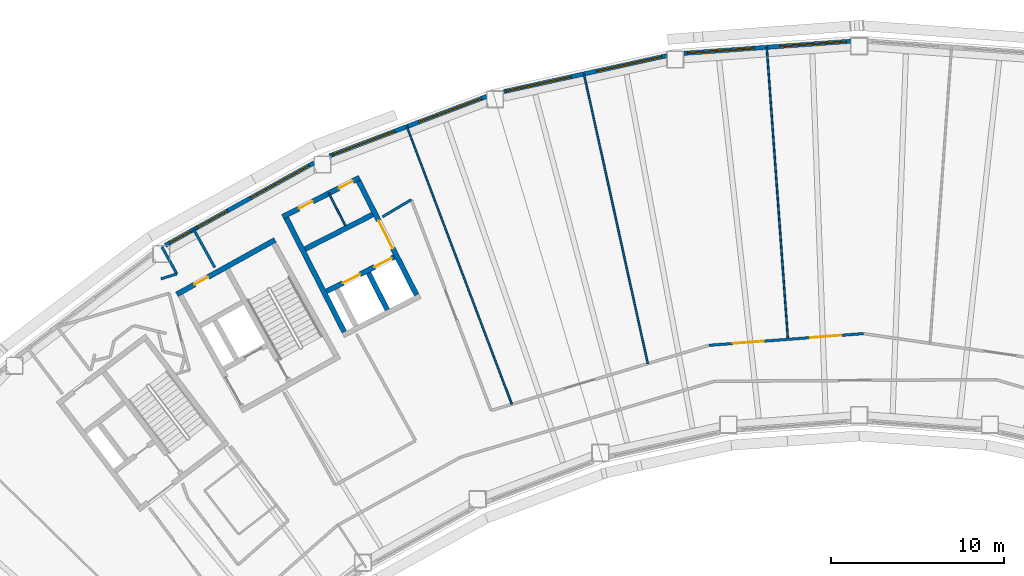
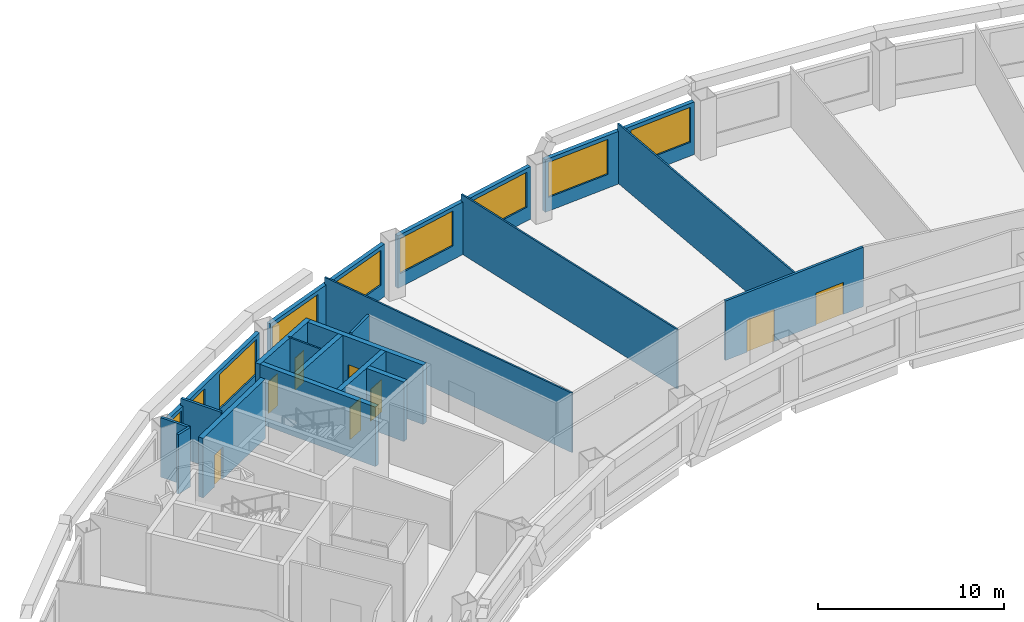
# One storey, part 5 of 11: 20 walls, 9 windows, 8 doors, 17 openings.
"""IFC4 building model written with IfcOpenShell, lengths in metres."""

from ifc_helpers import new_model, si_unit, direction, frame, frame_2d, origin, place, context, subcontext, project, spatial, rectangle, extrude, material, layer, layer_set, type_object, element, fill, save


model = new_model("IFC4")

# Units and contexts
model_context = context("Model", 3, precision=1e-05, world=origin(), true_north=direction((0.0, 1.0)))
body_context = subcontext(model_context, "Body", "Model", "MODEL_VIEW")
ifc_project = project(units=[si_unit("LENGTHUNIT", "METRE"), si_unit("AREAUNIT", "SQUARE_METRE"), si_unit("VOLUMEUNIT", "CUBIC_METRE"), si_unit("PLANEANGLEUNIT", "RADIAN"), si_unit("MASSUNIT", "GRAM", prefix="KILO")], contexts=[model_context])

# Site, building, storey
site_placement = place(None, origin())
site = spatial("IfcSite", under=ifc_project, at=site_placement, CompositionType="ELEMENT")
building_placement = place(site_placement, origin())
building = spatial("IfcBuilding", under=site, at=building_placement, Name="Tuul Gate Civic Tower", CompositionType="ELEMENT")
storey_placement = place(building_placement, frame((0.0, 0.0, 159.199951171875)))
storey = spatial("IfcBuildingStorey", under=building, at=storey_placement, Name="Level 36", CompositionType="ELEMENT", Elevation=159.199951171875)

# Wall, opening, door
ifc_material_1 = material(Name="Concrete C50/60", Category="concrete")
ifc_layer_1 = layer(ifc_material_1, 0.300048828125)
ifc_layer_set_1 = layer_set([ifc_layer_1], Name="Concrete C50/60")
wall_type_1 = type_object("IfcWallType", Name="Core wall C50/60", PredefinedType="SHEAR", material=ifc_layer_set_1)
wall_1_placement = place(storey_placement, frame((-28.4443359375, -1.98095703125, 0.0), z_axis=(0.0, 0.0, 1.0), x_axis=(-0.874629909008, -0.484791215132, 0.0)))
wall_1 = element("IfcWall", 1, at=wall_1_placement, inside=storey, type_object=wall_type_1, Name="Core wall", PredefinedType="SHEAR", context=body_context, shape_type="SweptSolid", body=[
    extrude(rectangle(XDim=6.5, YDim=0.300048828125, at=frame_2d((3.25, 0.0))), origin(), (0.0, 0.0, 1.0), 3.900146484375),
])
opening_1_placement = place(wall_1_placement, frame((4.425048828125, 0.0, 0.0)))
opening_1 = element("IfcOpeningElement", 2, at=opening_1_placement, cuts=wall_1, Name="Opening M-D19", PredefinedType="OPENING", context=body_context, shape_type="SweptSolid", body=[
    extrude(rectangle(XDim=0.89990234375, YDim=2.10009765625, at=frame_2d((0.449951171875, 1.050048828125))), frame((0.0, 0.16015625, 0.0), z_axis=(0.0, -1.0, 0.0), x_axis=(1.0, 0.0, 0.0)), (0.0, 0.0, 1.0), 0.320068359375),
])
ifc_material_2 = material(Name="Timber door leaf", Category="wood")
door_type_1 = type_object("IfcDoorType", Name="Door D09", OperationType="NOTDEFINED", PredefinedType="DOOR", material=ifc_material_2)
door_1_placement = place(opening_1_placement, origin())
door_1 = element("IfcDoor", 3, at=door_1_placement, inside=storey, type_object=door_type_1, Name="Door M-D19", OperationType="SINGLE_SWING_LEFT", OverallHeight=2.10009765625, OverallWidth=0.89990234375, PredefinedType="DOOR", context=body_context, shape_type="SweptSolid", body=[
    extrude(rectangle(XDim=0.89990234375, YDim=2.10009765625, at=frame_2d((0.449951171875, 1.050048828125))), frame((0.0, 0.02490234375, 0.0), z_axis=(0.0, -1.0, 0.0), x_axis=(1.0, 0.0, 0.0)), (0.0, 0.0, 1.0), 0.050048828125),
])
fill(opening_1, door_1)

# Wall, openings, doors
ifc_material_3 = material(Name="Gypsum board partition")
ifc_layer_2 = layer(ifc_material_3, 0.14990234375)
ifc_layer_set_2 = layer_set([ifc_layer_2], Name="Gypsum board partition")
wall_type_2 = type_object("IfcWallType", Name="Corridor wall P150", PredefinedType="PARTITIONING", material=ifc_layer_set_2)
wall_2_placement = place(storey_placement, frame((-3.32275390625, -8.082275390625, 0.0), z_axis=(0.0, 0.0, 1.0), x_axis=(0.997138148299, 0.075601013265, 0.0)))
wall_2 = element("IfcWall", 4, at=wall_2_placement, inside=storey, type_object=wall_type_2, Name="p021", PredefinedType="PARTITIONING", context=body_context, shape_type="SweptSolid", body=[
    extrude(rectangle(XDim=8.964599609375, YDim=0.14990234375, at=frame_2d((4.482421875, 0.0))), origin(), (0.0, 0.0, 1.0), 3.900146484375),
])
opening_2_placement = place(wall_2_placement, frame((5.875244140625, 0.0, 0.0)))
opening_2 = element("IfcOpeningElement", 5, at=opening_2_placement, cuts=wall_2, Name="Opening M-D06", PredefinedType="OPENING", context=body_context, shape_type="SweptSolid", body=[
    extrude(rectangle(XDim=1.800048828125, YDim=2.10009765625, at=frame_2d((0.89990234375, 1.050048828125))), frame((0.0, 0.0849609375, 0.0), z_axis=(0.0, -1.0, 0.0), x_axis=(1.0, 0.0, 0.0)), (0.0, 0.0, 1.0), 0.169921875),
])
opening_3_placement = place(wall_2_placement, frame((1.39306640625, 0.0, 0.0)))
opening_3 = element("IfcOpeningElement", 6, at=opening_3_placement, cuts=wall_2, Name="Opening M-D07", PredefinedType="OPENING", context=body_context, shape_type="SweptSolid", body=[
    extrude(rectangle(XDim=1.800048828125, YDim=2.10009765625, at=frame_2d((0.89990234375, 1.050048828125))), frame((0.0, 0.0849609375, 0.0), z_axis=(0.0, -1.0, 0.0), x_axis=(1.0, 0.0, 0.0)), (0.0, 0.0, 1.0), 0.169921875),
])
ifc_material_4 = material(Name="Timber door leaf, double", Category="wood")
door_type_2 = type_object("IfcDoorType", Name="Door D18", OperationType="DOUBLE_DOOR_SINGLE_SWING", PredefinedType="DOOR", material=ifc_material_4)
door_2_placement = place(opening_2_placement, origin())
door_2 = element("IfcDoor", 7, at=door_2_placement, inside=storey, type_object=door_type_2, Name="Door M-D06", OperationType="DOUBLE_DOOR_SINGLE_SWING", OverallHeight=2.10009765625, OverallWidth=1.800048828125, PredefinedType="DOOR", context=body_context, shape_type="SweptSolid", body=[
    extrude(rectangle(XDim=1.800048828125, YDim=2.10009765625, at=frame_2d((0.89990234375, 1.050048828125))), frame((0.0, 0.02490234375, 0.0), z_axis=(0.0, -1.0, 0.0), x_axis=(1.0, 0.0, 0.0)), (0.0, 0.0, 1.0), 0.050048828125),
])
fill(opening_2, door_2)
door_3_placement = place(opening_3_placement, origin())
door_3 = element("IfcDoor", 8, at=door_3_placement, inside=storey, type_object=door_type_2, Name="Door M-D07", OperationType="DOUBLE_DOOR_SINGLE_SWING", OverallHeight=2.10009765625, OverallWidth=1.800048828125, PredefinedType="DOOR", context=body_context, shape_type="SweptSolid", body=[
    extrude(rectangle(XDim=1.800048828125, YDim=2.10009765625, at=frame_2d((0.89990234375, 1.050048828125))), frame((0.0, 0.02490234375, 0.0), z_axis=(0.0, -1.0, 0.0), x_axis=(1.0, 0.0, 0.0)), (0.0, 0.0, 1.0), 0.050048828125),
])
fill(opening_3, door_3)

# Walls
wall_3_placement = place(storey_placement, frame((-22.220703125, -0.64013671875, 0.0), z_axis=(0.0, 0.0, 1.0), x_axis=(0.859125150735, 0.511765547273, 0.0)))
element("IfcWall", 9, at=wall_3_placement, inside=storey, type_object=wall_type_2, Name="p026", PredefinedType="PARTITIONING", context=body_context, shape_type="SweptSolid", body=[
    extrude(rectangle(XDim=1.93505859375, YDim=0.14990234375, at=frame_2d((0.967529296875, 0.0))), origin(), (0.0, 0.0, 1.0), 3.900146484375),
])
wall_4_placement = place(storey_placement, frame((-33.152099609375, -1.37353515625, 0.0), z_axis=(0.0, 0.0, 1.0), x_axis=(0.484157899205, -0.874980644722, 0.0)))
element("IfcWall", 10, at=wall_4_placement, inside=storey, type_object=wall_type_2, Name="p029", PredefinedType="PARTITIONING", context=body_context, shape_type="SweptSolid", body=[
    extrude(rectangle(XDim=2.513671875, YDim=0.14990234375, at=frame_2d((1.2568359375, 0.0))), origin(), (0.0, 0.0, 1.0), 3.900146484375),
])
wall_5_placement = place(storey_placement, frame((-35.049560546875, -4.23291015625, 0.0), z_axis=(0.0, 0.0, 1.0), x_axis=(0.955246740778, 0.295810182773, 0.0)))
element("IfcWall", 11, at=wall_5_placement, inside=storey, type_object=wall_type_2, Name="p064", PredefinedType="PARTITIONING", context=body_context, shape_type="SweptSolid", body=[
    extrude(rectangle(XDim=0.96484375, YDim=0.14990234375, at=frame_2d((0.482421875, 0.0))), origin(), (0.0, 0.0, 1.0), 3.900146484375),
])
wall_6_placement = place(storey_placement, frame((-34.98876953125, -2.3916015625, 0.0), z_axis=(0.0, 0.0, 1.0), x_axis=(0.484115066366, -0.875004344285, 0.0)))
element("IfcWall", 12, at=wall_6_placement, inside=storey, type_object=wall_type_2, Name="p065", PredefinedType="PARTITIONING", context=body_context, shape_type="SweptSolid", body=[
    extrude(rectangle(XDim=1.778076171875, YDim=0.14990234375, at=frame_2d((0.88916015625, 0.0))), origin(), (0.0, 0.0, 1.0), 3.900146484375),
])

# Wall, openings, windows
ifc_material_5 = material(Name="Precast concrete C40/50", Category="concrete")
ifc_layer_3 = layer(ifc_material_5, 0.25)
ifc_layer_set_3 = layer_set([ifc_layer_3], Name="Precast concrete C40/50")
wall_type_3 = type_object("IfcWallType", Name="External wall", PredefinedType="STANDARD", material=ifc_layer_set_3)
wall_7_placement = place(storey_placement, frame((4.8740234375, 9.521484375, 0.0), z_axis=(0.0, 0.0, 1.0), x_axis=(-0.997386456692, -0.07225133914, 0.0)))
wall_7 = element("IfcWall", 13, at=wall_7_placement, inside=storey, type_object=wall_type_3, Name="External wall", PredefinedType="STANDARD", context=body_context, shape_type="SweptSolid", body=[
    extrude(rectangle(XDim=9.67431640625, YDim=0.25, at=frame_2d((4.837158203125, 0.0))), origin(), (0.0, 0.0, 1.0), 3.449951171875),
])
opening_4_placement = place(wall_7_placement, frame((0.250244140625, 0.0, 0.89990234375)))
opening_4 = element("IfcOpeningElement", 14, at=opening_4_placement, cuts=wall_7, Name="Opening W22", PredefinedType="OPENING", context=body_context, shape_type="SweptSolid", body=[
    extrude(rectangle(XDim=3.85009765625, YDim=2.300048828125, at=frame_2d((1.925048828125, 1.14990234375))), frame((0.0, 0.135009765625, 0.0), z_axis=(0.0, -1.0, 0.0), x_axis=(1.0, 0.0, 0.0)), (0.0, 0.0, 1.0), 0.27001953125),
])
opening_5_placement = place(wall_7_placement, frame((5.62109375, 0.0, 0.89990234375)))
opening_5 = element("IfcOpeningElement", 15, at=opening_5_placement, cuts=wall_7, Name="Opening W22", PredefinedType="OPENING", context=body_context, shape_type="SweptSolid", body=[
    extrude(rectangle(XDim=3.85009765625, YDim=2.300048828125, at=frame_2d((1.925048828125, 1.14990234375))), frame((0.0, 0.135009765625, 0.0), z_axis=(0.0, -1.0, 0.0), x_axis=(1.0, 0.0, 0.0)), (0.0, 0.0, 1.0), 0.27001953125),
])
ifc_material_6 = material(Name="Glass", Category="glass")
window_type_1 = type_object("IfcWindowType", Name="Window W22 3850 x 2300", PartitioningType="SINGLE_PANEL", PredefinedType="WINDOW", material=ifc_material_6)
window_1_placement = place(opening_4_placement, origin())
window_1 = element("IfcWindow", 16, at=window_1_placement, inside=storey, type_object=window_type_1, Name="Window", OverallHeight=2.300048828125, OverallWidth=3.85009765625, PartitioningType="SINGLE_PANEL", PredefinedType="WINDOW", context=body_context, shape_type="SweptSolid", body=[
    extrude(rectangle(XDim=3.85009765625, YDim=2.300048828125, at=frame_2d((1.925048828125, 1.14990234375))), frame((0.0, 0.030029296875, 0.0), z_axis=(0.0, -1.0, 0.0), x_axis=(1.0, 0.0, 0.0)), (0.0, 0.0, 1.0), 0.06005859375),
])
fill(opening_4, window_1)
window_2_placement = place(opening_5_placement, origin())
window_2 = element("IfcWindow", 17, at=window_2_placement, inside=storey, type_object=window_type_1, Name="Window", OverallHeight=2.300048828125, OverallWidth=3.85009765625, PartitioningType="SINGLE_PANEL", PredefinedType="WINDOW", context=body_context, shape_type="SweptSolid", body=[
    extrude(rectangle(XDim=3.85009765625, YDim=2.300048828125, at=frame_2d((1.925048828125, 1.14990234375))), frame((0.0, 0.030029296875, 0.0), z_axis=(0.0, -1.0, 0.0), x_axis=(1.0, 0.0, 0.0)), (0.0, 0.0, 1.0), 0.06005859375),
])
fill(opening_5, window_2)

wall_8_placement = place(storey_placement, frame((-5.77490234375, 8.68310546875, 0.0), z_axis=(0.0, 0.0, 1.0), x_axis=(-0.976568733391, -0.215205736364, 0.0)))
wall_8 = element("IfcWall", 18, at=wall_8_placement, inside=storey, type_object=wall_type_3, Name="External wall", PredefinedType="STANDARD", context=body_context, shape_type="SweptSolid", body=[
    extrude(rectangle(XDim=9.654296875, YDim=0.25, at=frame_2d((4.8271484375, 0.0))), origin(), (0.0, 0.0, 1.0), 3.449951171875),
])
opening_6_placement = place(wall_8_placement, frame((0.28759765625, 0.0, 0.89990234375)))
opening_6 = element("IfcOpeningElement", 19, at=opening_6_placement, cuts=wall_8, Name="Opening W22", PredefinedType="OPENING", context=body_context, shape_type="SweptSolid", body=[
    extrude(rectangle(XDim=3.85009765625, YDim=2.300048828125, at=frame_2d((1.925048828125, 1.14990234375))), frame((0.0, 0.135009765625, 0.0), z_axis=(0.0, -1.0, 0.0), x_axis=(1.0, 0.0, 0.0)), (0.0, 0.0, 1.0), 0.27001953125),
])
opening_7_placement = place(wall_8_placement, frame((5.6591796875, 0.0, 0.89990234375)))
opening_7 = element("IfcOpeningElement", 20, at=opening_7_placement, cuts=wall_8, Name="Opening W22", PredefinedType="OPENING", context=body_context, shape_type="SweptSolid", body=[
    extrude(rectangle(XDim=3.85009765625, YDim=2.300048828125, at=frame_2d((1.925048828125, 1.14990234375))), frame((0.0, 0.135009765625, 0.0), z_axis=(0.0, -1.0, 0.0), x_axis=(1.0, 0.0, 0.0)), (0.0, 0.0, 1.0), 0.27001953125),
])
window_3_placement = place(opening_6_placement, origin())
window_3 = element("IfcWindow", 21, at=window_3_placement, inside=storey, type_object=window_type_1, Name="Window", OverallHeight=2.300048828125, OverallWidth=3.85009765625, PartitioningType="SINGLE_PANEL", PredefinedType="WINDOW", context=body_context, shape_type="SweptSolid", body=[
    extrude(rectangle(XDim=3.85009765625, YDim=2.300048828125, at=frame_2d((1.925048828125, 1.14990234375))), frame((0.0, 0.030029296875, 0.0), z_axis=(0.0, -1.0, 0.0), x_axis=(1.0, 0.0, 0.0)), (0.0, 0.0, 1.0), 0.06005859375),
])
fill(opening_6, window_3)
window_4_placement = place(opening_7_placement, origin())
window_4 = element("IfcWindow", 22, at=window_4_placement, inside=storey, type_object=window_type_1, Name="Window", OverallHeight=2.300048828125, OverallWidth=3.85009765625, PartitioningType="SINGLE_PANEL", PredefinedType="WINDOW", context=body_context, shape_type="SweptSolid", body=[
    extrude(rectangle(XDim=3.85009765625, YDim=2.300048828125, at=frame_2d((1.925048828125, 1.14990234375))), frame((0.0, 0.030029296875, 0.0), z_axis=(0.0, -1.0, 0.0), x_axis=(1.0, 0.0, 0.0)), (0.0, 0.0, 1.0), 0.06005859375),
])
fill(opening_7, window_4)

wall_9_placement = place(storey_placement, frame((-16.202880859375, 6.320556640625, 0.0), z_axis=(0.0, 0.0, 1.0), x_axis=(-0.935351451724, -0.353719750307, 0.0)))
wall_9 = element("IfcWall", 23, at=wall_9_placement, inside=storey, type_object=wall_type_3, Name="External wall", PredefinedType="STANDARD", context=body_context, shape_type="SweptSolid", body=[
    extrude(rectangle(XDim=9.712646484375, YDim=0.25, at=frame_2d((4.8564453125, 0.0))), origin(), (0.0, 0.0, 1.0), 3.449951171875),
])
opening_8_placement = place(wall_9_placement, frame((0.315673828125, 0.0, 0.89990234375)))
opening_8 = element("IfcOpeningElement", 24, at=opening_8_placement, cuts=wall_9, Name="Opening W22", PredefinedType="OPENING", context=body_context, shape_type="SweptSolid", body=[
    extrude(rectangle(XDim=3.85009765625, YDim=2.300048828125, at=frame_2d((1.925048828125, 1.14990234375))), frame((0.0, 0.135009765625, 0.0), z_axis=(0.0, -1.0, 0.0), x_axis=(1.0, 0.0, 0.0)), (0.0, 0.0, 1.0), 0.27001953125),
])
opening_9_placement = place(wall_9_placement, frame((5.68701171875, 0.0, 0.89990234375)))
opening_9 = element("IfcOpeningElement", 25, at=opening_9_placement, cuts=wall_9, Name="Opening W22", PredefinedType="OPENING", context=body_context, shape_type="SweptSolid", body=[
    extrude(rectangle(XDim=3.85009765625, YDim=2.300048828125, at=frame_2d((1.925048828125, 1.14990234375))), frame((0.0, 0.135009765625, 0.0), z_axis=(0.0, -1.0, 0.0), x_axis=(1.0, 0.0, 0.0)), (0.0, 0.0, 1.0), 0.27001953125),
])
window_5_placement = place(opening_8_placement, origin())
window_5 = element("IfcWindow", 26, at=window_5_placement, inside=storey, type_object=window_type_1, Name="Window", OverallHeight=2.300048828125, OverallWidth=3.85009765625, PartitioningType="SINGLE_PANEL", PredefinedType="WINDOW", context=body_context, shape_type="SweptSolid", body=[
    extrude(rectangle(XDim=3.85009765625, YDim=2.300048828125, at=frame_2d((1.925048828125, 1.14990234375))), frame((0.0, 0.030029296875, 0.0), z_axis=(0.0, -1.0, 0.0), x_axis=(1.0, 0.0, 0.0)), (0.0, 0.0, 1.0), 0.06005859375),
])
fill(opening_8, window_5)
window_6_placement = place(opening_9_placement, origin())
window_6 = element("IfcWindow", 27, at=window_6_placement, inside=storey, type_object=window_type_1, Name="Window", OverallHeight=2.300048828125, OverallWidth=3.85009765625, PartitioningType="SINGLE_PANEL", PredefinedType="WINDOW", context=body_context, shape_type="SweptSolid", body=[
    extrude(rectangle(XDim=3.85009765625, YDim=2.300048828125, at=frame_2d((1.925048828125, 1.14990234375))), frame((0.0, 0.030029296875, 0.0), z_axis=(0.0, -1.0, 0.0), x_axis=(1.0, 0.0, 0.0)), (0.0, 0.0, 1.0), 0.06005859375),
])
fill(opening_9, window_6)

wall_10_placement = place(storey_placement, frame((-26.18994140625, 2.479736328125, 0.0), z_axis=(0.0, 0.0, 1.0), x_axis=(-0.874631968484, -0.484787499536, 0.0)))
wall_10 = element("IfcWall", 28, at=wall_10_placement, inside=storey, type_object=wall_type_3, Name="External wall", PredefinedType="STANDARD", context=body_context, shape_type="SweptSolid", body=[
    extrude(rectangle(XDim=9.8408203125, YDim=0.25, at=frame_2d((4.92041015625, 0.0))), origin(), (0.0, 0.0, 1.0), 3.449951171875),
])
opening_10_placement = place(wall_10_placement, frame((0.3359375, 0.0, 0.89990234375)))
opening_10 = element("IfcOpeningElement", 29, at=opening_10_placement, cuts=wall_10, Name="Opening W22", PredefinedType="OPENING", context=body_context, shape_type="SweptSolid", body=[
    extrude(rectangle(XDim=3.85009765625, YDim=2.300048828125, at=frame_2d((1.925048828125, 1.14990234375))), frame((0.0, 0.135009765625, 0.0), z_axis=(0.0, -1.0, 0.0), x_axis=(1.0, 0.0, 0.0)), (0.0, 0.0, 1.0), 0.27001953125),
])
opening_11_placement = place(wall_10_placement, frame((5.732177734375, 0.0, 0.89990234375)))
opening_11 = element("IfcOpeningElement", 30, at=opening_11_placement, cuts=wall_10, Name="Opening W49", PredefinedType="OPENING", context=body_context, shape_type="SweptSolid", body=[
    extrude(rectangle(XDim=2.0, YDim=2.300048828125, at=frame_2d((1.0, 1.14990234375))), frame((0.0, 0.135009765625, 0.0), z_axis=(0.0, -1.0, 0.0), x_axis=(1.0, 0.0, 0.0)), (0.0, 0.0, 1.0), 0.27001953125),
])
opening_12_placement = place(wall_10_placement, frame((8.1572265625, 0.0, 0.89990234375)))
opening_12 = element("IfcOpeningElement", 31, at=opening_12_placement, cuts=wall_10, Name="Opening W50", PredefinedType="OPENING", context=body_context, shape_type="SweptSolid", body=[
    extrude(rectangle(XDim=1.39990234375, YDim=2.300048828125, at=frame_2d((0.699951171875, 1.14990234375))), frame((0.0, 0.135009765625, 0.0), z_axis=(0.0, -1.0, 0.0), x_axis=(1.0, 0.0, 0.0)), (0.0, 0.0, 1.0), 0.27001953125),
])
ifc_material_7 = material(Name="Glass", Category="glass")
window_type_2 = type_object("IfcWindowType", Name="Window 1400 x 2300", PartitioningType="SINGLE_PANEL", PredefinedType="WINDOW", material=ifc_material_7)
window_7_placement = place(opening_12_placement, origin())
window_7 = element("IfcWindow", 32, at=window_7_placement, inside=storey, type_object=window_type_2, Name="Window", OverallHeight=2.300048828125, OverallWidth=1.39990234375, PartitioningType="SINGLE_PANEL", PredefinedType="WINDOW", context=body_context, shape_type="SweptSolid", body=[
    extrude(rectangle(XDim=1.39990234375, YDim=2.300048828125, at=frame_2d((0.699951171875, 1.14990234375))), frame((0.0, 0.030029296875, 0.0), z_axis=(0.0, -1.0, 0.0), x_axis=(1.0, 0.0, 0.0)), (0.0, 0.0, 1.0), 0.06005859375),
])
fill(opening_12, window_7)
ifc_material_8 = material(Name="Glass", Category="glass")
window_type_3 = type_object("IfcWindowType", Name="Window 2000 x 2300", PartitioningType="SINGLE_PANEL", PredefinedType="WINDOW", material=ifc_material_8)
window_8_placement = place(opening_11_placement, origin())
window_8 = element("IfcWindow", 33, at=window_8_placement, inside=storey, type_object=window_type_3, Name="Window", OverallHeight=2.300048828125, OverallWidth=2.0, PartitioningType="SINGLE_PANEL", PredefinedType="WINDOW", context=body_context, shape_type="SweptSolid", body=[
    extrude(rectangle(XDim=2.0, YDim=2.300048828125, at=frame_2d((1.0, 1.14990234375))), frame((0.0, 0.030029296875, 0.0), z_axis=(0.0, -1.0, 0.0), x_axis=(1.0, 0.0, 0.0)), (0.0, 0.0, 1.0), 0.06005859375),
])
fill(opening_11, window_8)
window_9_placement = place(opening_10_placement, origin())
window_9 = element("IfcWindow", 34, at=window_9_placement, inside=storey, type_object=window_type_1, Name="Window", OverallHeight=2.300048828125, OverallWidth=3.85009765625, PartitioningType="SINGLE_PANEL", PredefinedType="WINDOW", context=body_context, shape_type="SweptSolid", body=[
    extrude(rectangle(XDim=3.85009765625, YDim=2.300048828125, at=frame_2d((1.925048828125, 1.14990234375))), frame((0.0, 0.030029296875, 0.0), z_axis=(0.0, -1.0, 0.0), x_axis=(1.0, 0.0, 0.0)), (0.0, 0.0, 1.0), 0.06005859375),
])
fill(opening_10, window_9)

# Wall, openings, doors
ifc_material_9 = material(Name="Concrete C40/50", Category="concrete")
ifc_layer_4 = layer(ifc_material_9, 0.300048828125)
ifc_layer_set_4 = layer_set([ifc_layer_4], Name="Concrete C40/50")
wall_type_4 = type_object("IfcWallType", Name="Lift shaft wall C40/50", PredefinedType="STANDARD", material=ifc_layer_set_4)
wall_11_placement = place(storey_placement, frame((-21.542236328125, -2.962890625, 0.0), z_axis=(0.0, 0.0, 1.0), x_axis=(-0.891005618941, -0.453992276384, 0.0)))
wall_11 = element("IfcWall", 35, at=wall_11_placement, inside=storey, type_object=wall_type_4, Name="Shaft wall", PredefinedType="STANDARD", context=body_context, shape_type="SweptSolid", body=[
    extrude(rectangle(XDim=4.39990234375, YDim=0.300048828125, at=frame_2d((2.199951171875, 0.0))), origin(), (0.0, 0.0, 1.0), 3.900146484375),
])
opening_13_placement = place(wall_11_placement, frame((0.175048828125, 0.0, 0.0)))
opening_13 = element("IfcOpeningElement", 36, at=opening_13_placement, cuts=wall_11, Name="Opening LD-M1", PredefinedType="OPENING", context=body_context, shape_type="SweptSolid", body=[
    extrude(rectangle(XDim=1.10009765625, YDim=2.10009765625, at=frame_2d((0.550048828125, 1.050048828125))), frame((0.0, 0.16015625, 0.0), z_axis=(0.0, -1.0, 0.0), x_axis=(1.0, 0.0, 0.0)), (0.0, 0.0, 1.0), 0.320068359375),
])
opening_14_placement = place(wall_11_placement, frame((2.22509765625, 0.0, 0.0)))
opening_14 = element("IfcOpeningElement", 37, at=opening_14_placement, cuts=wall_11, Name="Opening LD-M2", PredefinedType="OPENING", context=body_context, shape_type="SweptSolid", body=[
    extrude(rectangle(XDim=1.10009765625, YDim=2.10009765625, at=frame_2d((0.550048828125, 1.050048828125))), frame((0.0, 0.16015625, 0.0), z_axis=(0.0, -1.0, 0.0), x_axis=(1.0, 0.0, 0.0)), (0.0, 0.0, 1.0), 0.320068359375),
])
ifc_material_10 = material(Name="Stainless steel", Category="steel")
door_type_3 = type_object("IfcDoorType", Name="Landing door", OperationType="DOUBLE_DOOR_SLIDING", PredefinedType="DOOR", material=ifc_material_10)
door_4_placement = place(opening_13_placement, origin())
door_4 = element("IfcDoor", 38, at=door_4_placement, inside=storey, type_object=door_type_3, Name="Mid-rise lift M1 landing door", OperationType="DOUBLE_DOOR_SLIDING", OverallHeight=2.10009765625, OverallWidth=1.10009765625, PredefinedType="DOOR", context=body_context, shape_type="SweptSolid", body=[
    extrude(rectangle(XDim=1.10009765625, YDim=2.10009765625, at=frame_2d((0.550048828125, 1.050048828125))), frame((0.0, 0.02490234375, 0.0), z_axis=(0.0, -1.0, 0.0), x_axis=(1.0, 0.0, 0.0)), (0.0, 0.0, 1.0), 0.050048828125),
])
fill(opening_13, door_4)
door_5_placement = place(opening_14_placement, origin())
door_5 = element("IfcDoor", 39, at=door_5_placement, inside=storey, type_object=door_type_3, Name="Mid-rise lift M2 landing door", OperationType="DOUBLE_DOOR_SLIDING", OverallHeight=2.10009765625, OverallWidth=1.10009765625, PredefinedType="DOOR", context=body_context, shape_type="SweptSolid", body=[
    extrude(rectangle(XDim=1.10009765625, YDim=2.10009765625, at=frame_2d((0.550048828125, 1.050048828125))), frame((0.0, 0.02490234375, 0.0), z_axis=(0.0, -1.0, 0.0), x_axis=(1.0, 0.0, 0.0)), (0.0, 0.0, 1.0), 0.050048828125),
])
fill(opening_14, door_5)

# Wall
wall_12_placement = place(storey_placement, frame((-22.790771484375, -0.5126953125, 0.0), z_axis=(0.0, 0.0, 1.0), x_axis=(-0.891005618941, -0.453992276384, 0.0)))
element("IfcWall", 40, at=wall_12_placement, inside=storey, type_object=wall_type_4, Name="Shaft wall", PredefinedType="STANDARD", context=body_context, shape_type="SweptSolid", body=[
    extrude(rectangle(XDim=4.39990234375, YDim=0.300048828125, at=frame_2d((2.199951171875, 0.0))), origin(), (0.0, 0.0, 1.0), 3.900146484375),
])

# Wall, openings, doors
wall_13_placement = place(storey_placement, frame((-23.544921875, 1.62841796875, 0.0), z_axis=(0.0, 0.0, 1.0), x_axis=(-0.891002976909, -0.453997461601, 0.0)))
wall_13 = element("IfcWall", 41, at=wall_13_placement, inside=storey, type_object=wall_type_4, Name="Shaft wall", PredefinedType="STANDARD", context=body_context, shape_type="SweptSolid", body=[
    extrude(rectangle(XDim=5.0, YDim=0.300048828125, at=frame_2d((2.5, 0.0))), origin(), (0.0, 0.0, 1.0), 3.900146484375),
])
opening_15_placement = place(wall_13_placement, frame((0.449951171875, 0.0, 0.0)))
opening_15 = element("IfcOpeningElement", 42, at=opening_15_placement, cuts=wall_13, Name="Opening M-D23", PredefinedType="OPENING", context=body_context, shape_type="SweptSolid", body=[
    extrude(rectangle(XDim=0.89990234375, YDim=2.10009765625, at=frame_2d((0.449951171875, 1.050048828125))), frame((0.0, 0.16015625, 0.0), z_axis=(0.0, -1.0, 0.0), x_axis=(1.0, 0.0, 0.0)), (0.0, 0.0, 1.0), 0.320068359375),
])
opening_16_placement = place(wall_13_placement, frame((3.050048828125, 0.0, 0.0)))
opening_16 = element("IfcOpeningElement", 43, at=opening_16_placement, cuts=wall_13, Name="Opening M-D24", PredefinedType="OPENING", context=body_context, shape_type="SweptSolid", body=[
    extrude(rectangle(XDim=0.89990234375, YDim=2.10009765625, at=frame_2d((0.449951171875, 1.050048828125))), frame((0.0, 0.16015625, 0.0), z_axis=(0.0, -1.0, 0.0), x_axis=(1.0, 0.0, 0.0)), (0.0, 0.0, 1.0), 0.320068359375),
])
door_6_placement = place(opening_15_placement, origin())
door_6 = element("IfcDoor", 44, at=door_6_placement, inside=storey, type_object=door_type_1, Name="Door M-D23", OperationType="SINGLE_SWING_RIGHT", OverallHeight=2.10009765625, OverallWidth=0.89990234375, PredefinedType="DOOR", context=body_context, shape_type="SweptSolid", body=[
    extrude(rectangle(XDim=0.89990234375, YDim=2.10009765625, at=frame_2d((0.449951171875, 1.050048828125))), frame((0.0, 0.02490234375, 0.0), z_axis=(0.0, -1.0, 0.0), x_axis=(1.0, 0.0, 0.0)), (0.0, 0.0, 1.0), 0.050048828125),
])
fill(opening_15, door_6)
door_7_placement = place(opening_16_placement, origin())
door_7 = element("IfcDoor", 45, at=door_7_placement, inside=storey, type_object=door_type_1, Name="Door M-D24", OperationType="SINGLE_SWING_LEFT", OverallHeight=2.10009765625, OverallWidth=0.89990234375, PredefinedType="DOOR", context=body_context, shape_type="SweptSolid", body=[
    extrude(rectangle(XDim=0.89990234375, YDim=2.10009765625, at=frame_2d((0.449951171875, 1.050048828125))), frame((0.0, 0.02490234375, 0.0), z_axis=(0.0, -1.0, 0.0), x_axis=(1.0, 0.0, 0.0)), (0.0, 0.0, 1.0), 0.050048828125),
])
fill(opening_16, door_7)

# Wall, opening, door
wall_14_placement = place(storey_placement, frame((-20.2509765625, -5.166748046875, 0.0), z_axis=(0.0, 0.0, 1.0), x_axis=(-0.45401029361, 0.89099643843, 0.0)))
wall_14 = element("IfcWall", 46, at=wall_14_placement, inside=storey, type_object=wall_type_4, Name="Shaft wall", PredefinedType="STANDARD", context=body_context, shape_type="SweptSolid", body=[
    extrude(rectangle(XDim=7.39990234375, YDim=0.300048828125, at=frame_2d((3.699951171875, 0.0))), origin(), (0.0, 0.0, 1.0), 3.900146484375),
])
opening_17_placement = place(wall_14_placement, frame((3.02490234375, 0.0, 0.0)))
opening_17 = element("IfcOpeningElement", 47, at=opening_17_placement, cuts=wall_14, Name="Opening LB-W3-LOBBY-1", PredefinedType="OPENING", context=body_context, shape_type="SweptSolid", body=[
    extrude(rectangle(XDim=1.800048828125, YDim=2.10009765625, at=frame_2d((0.89990234375, 1.050048828125))), frame((0.0, 0.16015625, 0.0), z_axis=(0.0, -1.0, 0.0), x_axis=(1.0, 0.0, 0.0)), (0.0, 0.0, 1.0), 0.320068359375),
])
ifc_material_11 = material(Name="Steel", Category="steel")
door_type_4 = type_object("IfcDoorType", Name="Lobby door", OperationType="DOUBLE_DOOR_SINGLE_SWING", PredefinedType="DOOR", material=ifc_material_11)
door_8_placement = place(opening_17_placement, origin())
door_8 = element("IfcDoor", 48, at=door_8_placement, inside=storey, type_object=door_type_4, Name="Lobby door W3-LOBBY", OperationType="DOUBLE_DOOR_SINGLE_SWING", OverallHeight=2.10009765625, OverallWidth=1.800048828125, PredefinedType="DOOR", context=body_context, shape_type="SweptSolid", body=[
    extrude(rectangle(XDim=1.800048828125, YDim=2.10009765625, at=frame_2d((0.89990234375, 1.050048828125))), frame((0.0, 0.02490234375, 0.0), z_axis=(0.0, -1.0, 0.0), x_axis=(1.0, 0.0, 0.0)), (0.0, 0.0, 1.0), 0.050048828125),
])
fill(opening_17, door_8)

# Walls
wall_15_placement = place(storey_placement, frame((-21.94384765625, -6.029296875, 0.0), z_axis=(0.0, 0.0, 1.0), x_axis=(-0.45403702923, 0.890982814698, 0.0)))
element("IfcWall", 49, at=wall_15_placement, inside=storey, type_object=wall_type_4, Name="Shaft wall", PredefinedType="STANDARD", context=body_context, shape_type="SweptSolid", body=[
    extrude(rectangle(XDim=2.39990234375, YDim=0.300048828125, at=frame_2d((1.199951171875, 0.0))), origin(), (0.0, 0.0, 1.0), 3.900146484375),
])
wall_16_placement = place(storey_placement, frame((-24.438720703125, -7.300537109375, 0.0), z_axis=(0.0, 0.0, 1.0), x_axis=(-0.453984101083, 0.891009784438, 0.0)))
element("IfcWall", 50, at=wall_16_placement, inside=storey, type_object=wall_type_4, Name="Shaft wall", PredefinedType="STANDARD", context=body_context, shape_type="SweptSolid", body=[
    extrude(rectangle(XDim=7.399658203125, YDim=0.300048828125, at=frame_2d((3.69970703125, 0.0))), origin(), (0.0, 0.0, 1.0), 3.900146484375),
])
ifc_material_12 = material(Name="Gypsum board partition")
ifc_layer_5 = layer(ifc_material_12, 0.10009765625)
ifc_layer_set_5 = layer_set([ifc_layer_5], Name="Gypsum board partition")
wall_type_5 = type_object("IfcWallType", Name="Partition P100", PredefinedType="PARTITIONING", material=ifc_layer_set_5)
wall_17_placement = place(storey_placement, frame((0.025390625, 9.17529296875, 0.0), z_axis=(0.0, 0.0, 1.0), x_axis=(0.072240630385, -0.997387232383, 0.0)))
element("IfcWall", 51, at=wall_17_placement, inside=storey, type_object=wall_type_5, Name="p020", PredefinedType="PARTITIONING", context=body_context, shape_type="SweptSolid", body=[
    extrude(rectangle(XDim=16.955078125, YDim=0.10009765625, at=frame_2d((8.4775390625, 0.0))), origin(), (0.0, 0.0, 1.0), 3.900146484375),
])
wall_18_placement = place(storey_placement, frame((-10.56005859375, 7.6337890625, 0.0), z_axis=(0.0, 0.0, 1.0), x_axis=(0.215222100113, -0.976565127179, 0.0)))
element("IfcWall", 52, at=wall_18_placement, inside=storey, type_object=wall_type_5, Name="p022", PredefinedType="PARTITIONING", context=body_context, shape_type="SweptSolid", body=[
    extrude(rectangle(XDim=17.177734375, YDim=0.10009765625, at=frame_2d((8.5888671875, 0.0))), origin(), (0.0, 0.0, 1.0), 3.900146484375),
])
wall_19_placement = place(storey_placement, frame((-20.81298828125, 4.58251953125, 0.0), z_axis=(0.0, 0.0, 1.0), x_axis=(0.35370270944, -0.935357895853, 0.0)))
element("IfcWall", 53, at=wall_19_placement, inside=storey, type_object=wall_type_5, Name="p024", PredefinedType="PARTITIONING", context=body_context, shape_type="SweptSolid", body=[
    extrude(rectangle(XDim=17.189697265625, YDim=0.10009765625, at=frame_2d((8.5947265625, 0.0))), origin(), (0.0, 0.0, 1.0), 3.900146484375),
])
wall_20_placement = place(storey_placement, frame((-24.37353515625, -1.150634765625, 0.0), z_axis=(0.0, 0.0, 1.0), x_axis=(-0.453990218702, 0.891006667384, 0.0)))
element("IfcWall", 54, at=wall_20_placement, inside=storey, type_object=wall_type_5, Name="bW3-BAND-0", PredefinedType="PARTITIONING", context=body_context, shape_type="SweptSolid", body=[
    extrude(rectangle(XDim=2.10009765625, YDim=0.10009765625, at=frame_2d((1.050048828125, 0.0))), origin(), (0.0, 0.0, 1.0), 3.900146484375),
])

save(model, "model.ifc")
